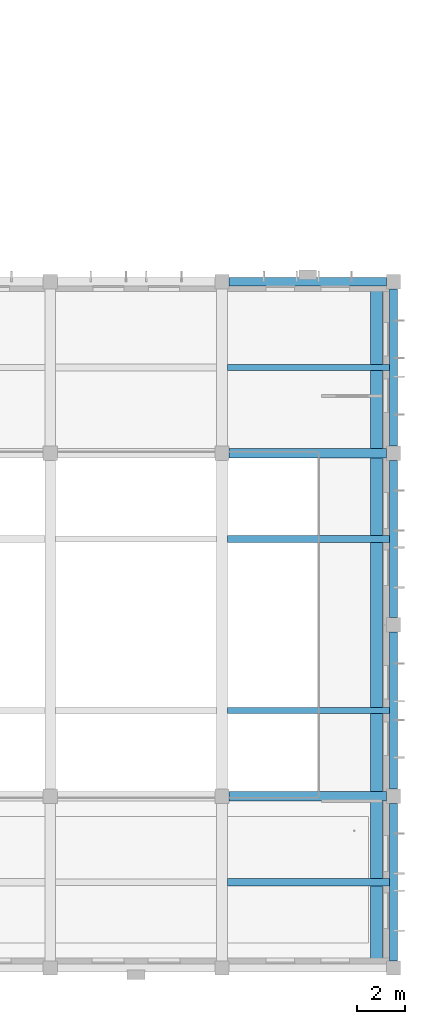
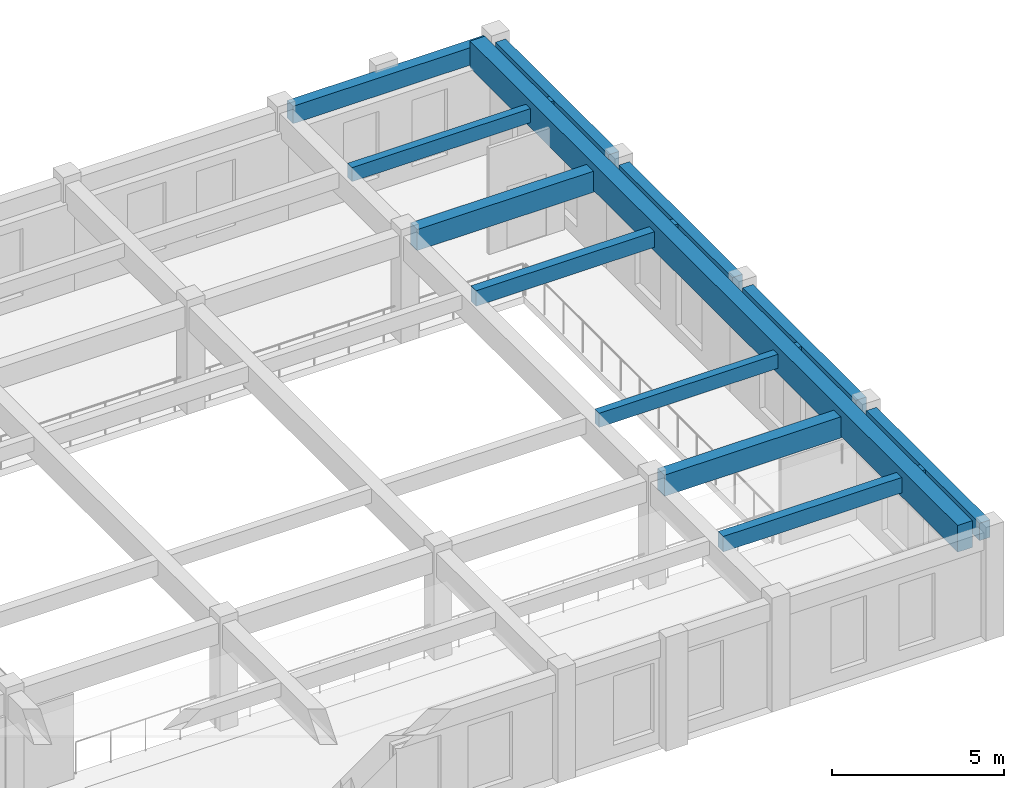
# One storey, part 17 of 88: 12 beams.
"""IFC4 building model written with IfcOpenShell, lengths in metres."""

from ifc_helpers import new_model, si_unit, direction, frame, origin, origin_2d, place, context, subcontext, project, spatial, rectangle, extrude, material, material_profile, profile_set, type_object, element, save


model = new_model("IFC4")

# Units and contexts
model_context = context("Model", 3, precision=1e-05, world=origin(), true_north=direction((0.0, 1.0)))
body_context = subcontext(model_context, "Body", "Model", "MODEL_VIEW")
ifc_project = project(units=[si_unit("LENGTHUNIT", "METRE"), si_unit("AREAUNIT", "SQUARE_METRE"), si_unit("VOLUMEUNIT", "CUBIC_METRE"), si_unit("PLANEANGLEUNIT", "RADIAN"), si_unit("MASSUNIT", "GRAM", prefix="KILO")], contexts=[model_context])

# Site, building, storey
site_placement = place(None, origin())
site = spatial("IfcSite", under=ifc_project, at=site_placement, CompositionType="ELEMENT")
building_placement = place(site_placement, origin())
building = spatial("IfcBuilding", under=site, at=building_placement, Name="Alvorim Cloister Faculty of Sciences", CompositionType="ELEMENT")
storey_placement = place(building_placement, frame((0.0, 0.0, 4.5)))
storey = spatial("IfcBuildingStorey", under=building, at=storey_placement, Name="L01", CompositionType="ELEMENT", Elevation=4.5)

# Beams
ifc_material = material(Name="Concrete C40", Category="concrete")
ifc_material_profile_1 = material_profile(ifc_material, rectangle(XDim=0.260009765625, YDim=0.5, at=origin_2d()), Name="RC40-JST-260x500")
ifc_profile_set_1 = profile_set([ifc_material_profile_1], Name="Concrete C40")
beam_type_1 = type_object("IfcBeamType", Name="BM-JST-RC-260x500", PredefinedType="JOIST", material=ifc_profile_set_1)
for number, where, z_axis, x_axis, name in (
    (1, (158.625, 10.800048828125, 3.5400390625), (1.0, 0.0, 0.0), (0.0, 1.0, 0.0), "L01 Secondary Floor Joist BM-1239"),
    (2, (158.625, 25.199951171875, 3.5400390625), (1.0, 0.0, 0.0), (0.0, 1.0, 0.0), "L01 Secondary Floor Joist BM-1241"),
):
    element("IfcBeam", number, at=place(storey_placement, frame(where, z_axis=z_axis, x_axis=x_axis)), inside=storey, type_object=beam_type_1, Name=name, PredefinedType="JOIST", context=body_context, shape_type="SweptSolid", body=[
        extrude(rectangle(XDim=0.260009765625, YDim=0.5, at=origin_2d()), origin(), (0.0, 0.0, 1.0), 6.800048828125),
    ])
ifc_material_profile_2 = material_profile(ifc_material, rectangle(XDim=0.300048828125, YDim=0.550048828125, at=origin_2d()), Name="RC40-JST-300x550")
ifc_profile_set_2 = profile_set([ifc_material_profile_2], Name="Concrete C40")
beam_type_2 = type_object("IfcBeamType", Name="BM-JST-RC-300x550", PredefinedType="JOIST", material=ifc_profile_set_2)
for number, where, z_axis, x_axis, name in (
    (3, (158.625, 3.60009765625, 3.514892578125), (1.0, 0.0, 0.0), (0.0, 1.0, 0.0), "L01 Secondary Floor Joist BM-1238"),
    (4, (158.625, 18.0, 3.514892578125), (1.0, 0.0, 0.0), (0.0, 1.0, 0.0), "L01 Secondary Floor Joist BM-1240"),
):
    element("IfcBeam", number, at=place(storey_placement, frame(where, z_axis=z_axis, x_axis=x_axis)), inside=storey, type_object=beam_type_2, Name=name, PredefinedType="JOIST", context=body_context, shape_type="SweptSolid", body=[
        extrude(rectangle(XDim=0.300048828125, YDim=0.550048828125, at=origin_2d()), origin(), (0.0, 0.0, 1.0), 6.800048828125),
    ])
ifc_material_profile_3 = material_profile(ifc_material, rectangle(XDim=0.39990234375, YDim=0.75, at=origin_2d()), Name="RC40-BM-400x750")
ifc_profile_set_3 = profile_set([ifc_material_profile_3], Name="Concrete C40")
beam_type_3 = type_object("IfcBeamType", Name="BM-RC-400x750", PredefinedType="BEAM", material=ifc_profile_set_3)
for number, where, z_axis, x_axis, name in (
    (5, (158.699951171875, 7.199951171875, 3.4150390625), (1.0, 0.0, 0.0), (0.0, 1.0, 0.0), "L01 Primary Beam BM-0923"),
    (6, (158.699951171875, 21.60009765625, 3.4150390625), (1.0, 0.0, 0.0), (0.0, 1.0, 0.0), "L01 Primary Beam BM-0945"),
):
    element("IfcBeam", number, at=place(storey_placement, frame(where, z_axis=z_axis, x_axis=x_axis)), inside=storey, type_object=beam_type_3, Name=name, PredefinedType="BEAM", context=body_context, shape_type="SweptSolid", body=[
        extrude(rectangle(XDim=0.39990234375, YDim=0.75, at=origin_2d()), origin(), (0.0, 0.0, 1.0), 6.60009765625),
    ])
ifc_material_profile_4 = material_profile(ifc_material, rectangle(XDim=0.5, YDim=0.949951171875, at=origin_2d()), Name="RC40-BM-500x950")
ifc_profile_set_4 = profile_set([ifc_material_profile_4], Name="Concrete C40")
beam_type_4 = type_object("IfcBeamType", Name="BM-RC-500x950", PredefinedType="BEAM", material=ifc_profile_set_4)
beam_1_placement = place(storey_placement, frame((164.8798828125, 0.199951171875, 3.574951171875), z_axis=(0.0, 1.0, 0.0), x_axis=(-1.0, 0.0, 0.0)))
element("IfcBeam", 7, at=beam_1_placement, inside=storey, type_object=beam_type_4, Name="L01 SH-V1 Gable Tympanum Sill Girder BM-2512", PredefinedType="BEAM", context=body_context, shape_type="SweptSolid", body=[
    extrude(rectangle(XDim=0.5, YDim=0.949951171875, at=origin_2d()), origin(), (0.0, 0.0, 1.0), 28.400146484375),
])
ifc_material_profile_5 = material_profile(ifc_material, rectangle(XDim=0.35009765625, YDim=0.6201171875, at=origin_2d()), Name="RC40-SPD-350x620")
ifc_profile_set_5 = profile_set([ifc_material_profile_5], Name="Concrete C40")
beam_type_5 = type_object("IfcBeamType", Name="BM-SPD-RC-350x620", PredefinedType="SPANDREL", material=ifc_profile_set_5)
beam_2_placement = place(storey_placement, frame((158.699951171875, 28.800048828125, 3.47998046875), z_axis=(1.0, 0.0, 0.0), x_axis=(0.0, 1.0, 0.0)))
element("IfcBeam", 8, at=beam_2_placement, inside=storey, type_object=beam_type_5, Name="L01 Primary Beam BM-0962", PredefinedType="SPANDREL", context=body_context, shape_type="SweptSolid", body=[
    extrude(rectangle(XDim=0.35009765625, YDim=0.6201171875, at=origin_2d()), origin(), (0.0, 0.0, 1.0), 6.60009765625),
])
beam_3_placement = place(storey_placement, frame((165.60009765625, 0.300048828125, 3.47998046875), z_axis=(0.0, 1.0, 0.0), x_axis=(-1.0, 0.0, 0.0)))
element("IfcBeam", 9, at=beam_3_placement, inside=storey, type_object=beam_type_5, Name="L01 Primary Girder BM-1139", PredefinedType="SPANDREL", context=body_context, shape_type="SweptSolid", body=[
    extrude(rectangle(XDim=0.35009765625, YDim=0.6201171875, at=origin_2d()), origin(), (0.0, 0.0, 1.0), 6.599853515625),
])
for number, where, z_axis, x_axis, name in (
    (10, (165.60009765625, 7.5, 3.47998046875), (0.0, 1.0, 0.0), (-1.0, 0.0, 0.0), "L01 Primary Girder BM-1140"),
    (11, (165.60009765625, 14.699951171875, 3.47998046875), (0.0, 1.0, 0.0), (-1.0, 0.0, 0.0), "L01 Primary Girder BM-1141"),
    (12, (165.60009765625, 21.89990234375, 3.47998046875), (0.0, 1.0, 0.0), (-1.0, 0.0, 0.0), "L01 Primary Girder BM-1142"),
):
    element("IfcBeam", number, at=place(storey_placement, frame(where, z_axis=z_axis, x_axis=x_axis)), inside=storey, type_object=beam_type_5, Name=name, PredefinedType="SPANDREL", context=body_context, shape_type="SweptSolid", body=[
        extrude(rectangle(XDim=0.35009765625, YDim=0.6201171875, at=origin_2d()), origin(), (0.0, 0.0, 1.0), 6.60009765625),
    ])

save(model, "model.ifc")
